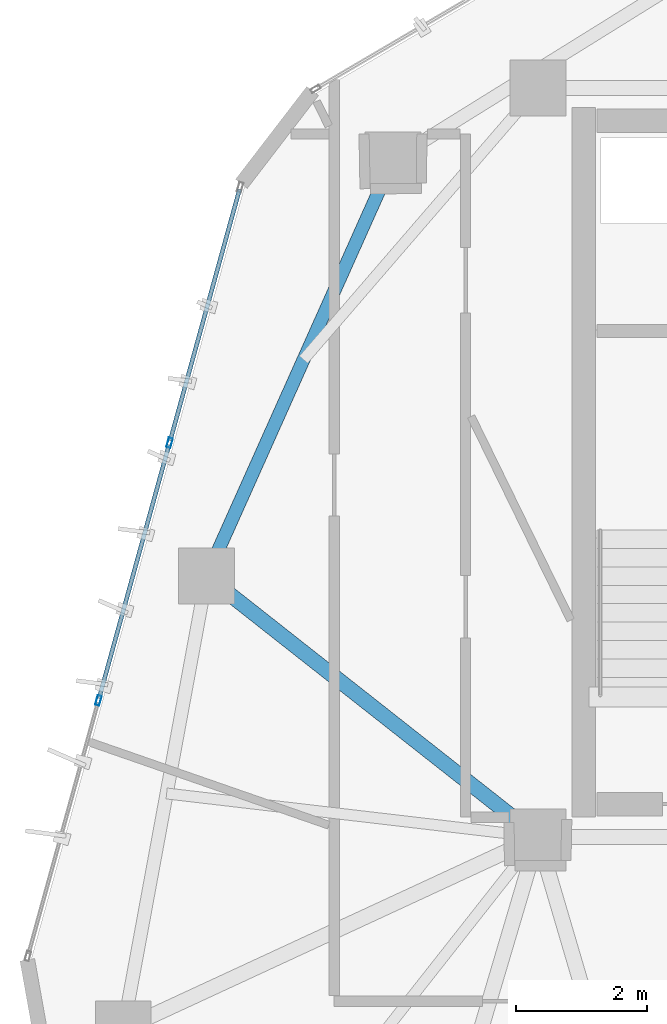
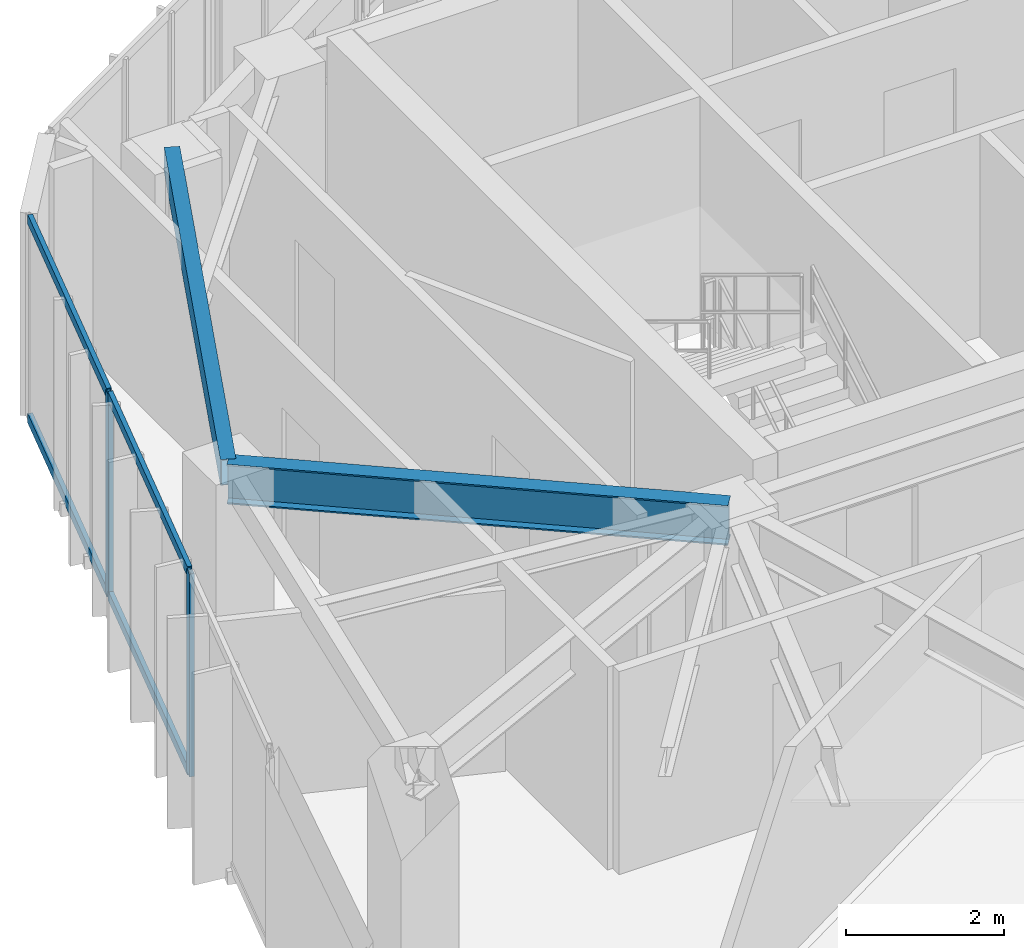
# One storey, part 8 of 20: 6 members, 2 beams, 1 element without a shape of its own.
"""IFC4 building model written with IfcOpenShell, lengths in metres."""

from ifc_helpers import new_model, si_unit, direction, frame, origin, origin_2d, place, context, subcontext, project, spatial, hollow_rectangle, i_section, extrude, source, transform, mapped, material, layer, layer_set, material_profile, profile_set, type_object, type_shapes, element, aggregate, save


model = new_model("IFC4")

# Units and contexts
model_context = context("Model", 3, precision=1e-05, world=origin(), true_north=direction((0.0, 1.0)))
body_context = subcontext(model_context, "Body", "Model", "MODEL_VIEW")
ifc_project = project(units=[si_unit("LENGTHUNIT", "METRE"), si_unit("AREAUNIT", "SQUARE_METRE"), si_unit("VOLUMEUNIT", "CUBIC_METRE"), si_unit("PLANEANGLEUNIT", "RADIAN"), si_unit("MASSUNIT", "GRAM", prefix="KILO")], contexts=[model_context])

# Site, building, storey
site_placement = place(None, origin())
site = spatial("IfcSite", under=ifc_project, at=site_placement, CompositionType="ELEMENT")
building_placement = place(site_placement, origin())
building = spatial("IfcBuilding", under=site, at=building_placement, Name="Talar Marvaseh", CompositionType="ELEMENT")
storey_placement = place(building_placement, frame((0.0, 0.0, 254.39990234375)))
storey = spatial("IfcBuildingStorey", under=building, at=storey_placement, Name="L67", CompositionType="ELEMENT", Elevation=254.39990234375)

# Beams
ifc_material_1 = material(Name="Steel S355", Category="steel")
ifc_material_profile_1 = material_profile(ifc_material_1, hollow_rectangle(XDim=0.199951171875, YDim=0.39990234375, WallThickness=0.013916015625, at=origin_2d()), Name="RHS400x200x14")
ifc_profile_set_1 = profile_set([ifc_material_profile_1], Name="Steel S355")
beam_type_1 = type_object("IfcBeamType", Name="Zone 3 Perimeter Spandrel Beam RHS400x200x14", PredefinedType="SPANDREL", material=ifc_profile_set_1)
beam_1_placement = place(storey_placement, frame((13.657958984375, 29.469970703125, 2.940185546875), z_axis=(0.408486346803, 0.912764429892, 0.0), x_axis=(-0.912764429892, 0.408486346803, 0.0)))
element("IfcBeam", 1, at=beam_1_placement, inside=storey, type_object=beam_type_1, Name="L67 Zone 3 Perimeter Spandrel Beam RHS400x200x14", PredefinedType="SPANDREL", context=body_context, shape_type="SweptSolid", body=[
    extrude(hollow_rectangle(XDim=0.199951171875, YDim=0.39990234375, WallThickness=0.013916015625, at=origin_2d()), origin(), (0.0, 0.0, 1.0), 6.942626953125),
])
ifc_material_profile_2 = material_profile(ifc_material_1, i_section(OverallWidth=0.22998046875, OverallDepth=0.616943359375, WebThickness=0.01318359375, FlangeThickness=0.022216796875, at=origin_2d()), Name="W610x140")
ifc_profile_set_2 = profile_set([ifc_material_profile_2], Name="Steel S355")
beam_type_2 = type_object("IfcBeamType", Name="Zone 4 Radial Floor Girder W610x140", PredefinedType="BEAM", material=ifc_profile_set_2)
beam_2_placement = place(storey_placement, frame((13.657958984375, 29.469970703125, 2.83154296875), z_axis=(0.785681617372, -0.618631066245, 0.0), x_axis=(0.618631066245, 0.785681617372, 0.0)))
element("IfcBeam", 2, at=beam_2_placement, inside=storey, type_object=beam_type_2, Name="L67 Zone 4 Radial Floor Girder W610x140", PredefinedType="BEAM", context=body_context, shape_type="SweptSolid", body=[
    extrude(i_section(OverallWidth=0.22998046875, OverallDepth=0.616943359375, WebThickness=0.01318359375, FlangeThickness=0.022216796875, at=origin_2d()), origin(), (0.0, 0.0, 1.0), 6.417236328125),
])

# Curtain wall, members
ifc_material_2 = material(Name="Architectural Aluminium", Category="aluminium")
ifc_layer = layer(ifc_material_2, 0.179931640625)
ifc_layer_set = layer_set([ifc_layer], Name="Architectural Aluminium")
curtain_wall_type = type_object("IfcCurtainWallType", Name="Unitised High-Wind Sky Curtain Wall Z4", PredefinedType="NOTDEFINED", material=ifc_layer_set)
curtain_wall_placement = place(storey_placement, origin())
curtain_wall = element("IfcCurtainWall", 3, at=curtain_wall_placement, inside=storey, type_object=curtain_wall_type, Name="L67 Unitised High-Wind Sky Curtain Wall Z4", PredefinedType="NOTDEFINED")
ifc_material_profile_3 = material_profile(ifc_material_2, hollow_rectangle(XDim=0.06494140625, YDim=0.14990234375, WallThickness=0.00390625, at=origin_2d()), Name="RHS150x65x4")
ifc_profile_set_3 = profile_set([ifc_material_profile_3], Name="Architectural Aluminium")
member_type_1 = type_object("IfcMemberType", Name="Unitised Curtain Wall Slim Transom RHS150x65x4", PredefinedType="USERDEFINED", material=ifc_profile_set_3)
shared_shape_1 = source(origin(), body_context, "Body", "SweptSolid", [
    extrude(hollow_rectangle(XDim=0.06494140625, YDim=0.14990234375, WallThickness=0.00390625, at=origin_2d()), origin(), (0.0, 0.0, 1.0), 3.97119140625),
])
member_1_placement = place(storey_placement, frame((13.102783203125, 31.531005859375, 0.03271484375), z_axis=(0.26607083303, 0.963953480107, 0.0), x_axis=(-0.963953480107, 0.26607083303, 0.0)))
member_1 = element("IfcMember", 4, at=member_1_placement, type_object=member_type_1, Name="CW-Z4 transom 3.1", ObjectType="TRANSOM", PredefinedType="USERDEFINED", context=body_context, shape_type="MappedRepresentation", body=[
    mapped(shared_shape_1, transform((0.0, 0.0, 0.0), x_axis=(1.0, 0.0, 0.0), y_axis=(0.0, 1.0, 0.0), z_axis=(0.0, 0.0, 1.0), scale=1.0)),
])
member_2_placement = place(storey_placement, frame((13.102783203125, 31.531005859375, 3.107666015625), z_axis=(0.26607083303, 0.963953480107, 0.0), x_axis=(-0.963953480107, 0.26607083303, 0.0)))
member_2 = element("IfcMember", 5, at=member_2_placement, type_object=member_type_1, Name="CW-Z4 transom 3.2", ObjectType="TRANSOM", PredefinedType="USERDEFINED", context=body_context, shape_type="MappedRepresentation", body=[
    mapped(shared_shape_1, transform((0.0, 0.0, 0.0), x_axis=(1.0, 0.0, 0.0), y_axis=(0.0, 1.0, 0.0), z_axis=(0.0, 0.0, 1.0), scale=1.0)),
])
shared_shape_2 = source(origin(), body_context, "Body", "SweptSolid", [
    extrude(hollow_rectangle(XDim=0.06494140625, YDim=0.14990234375, WallThickness=0.00390625, at=origin_2d()), origin(), (0.0, 0.0, 1.0), 4.003662109375),
])
type_shapes(member_type_1, [shared_shape_1, shared_shape_2])
member_3_placement = place(storey_placement, frame((12.020263671875, 27.609130859375, 0.03271484375), z_axis=(0.266052099754, 0.963958650678, 0.0), x_axis=(-0.963958650678, 0.266052099754, 0.0)))
member_3 = element("IfcMember", 6, at=member_3_placement, type_object=member_type_1, Name="CW-Z4 transom 2.1", ObjectType="TRANSOM", PredefinedType="USERDEFINED", context=body_context, shape_type="MappedRepresentation", body=[
    mapped(shared_shape_2, transform((0.0, 0.0, 0.0), x_axis=(1.0, 0.0, 0.0), y_axis=(0.0, 1.0, 0.0), z_axis=(0.0, 0.0, 1.0), scale=1.0)),
])
member_4_placement = place(storey_placement, frame((12.020263671875, 27.609130859375, 3.107666015625), z_axis=(0.266052099754, 0.963958650678, 0.0), x_axis=(-0.963958650678, 0.266052099754, 0.0)))
member_4 = element("IfcMember", 7, at=member_4_placement, type_object=member_type_1, Name="CW-Z4 transom 2.2", ObjectType="TRANSOM", PredefinedType="USERDEFINED", context=body_context, shape_type="MappedRepresentation", body=[
    mapped(shared_shape_2, transform((0.0, 0.0, 0.0), x_axis=(1.0, 0.0, 0.0), y_axis=(0.0, 1.0, 0.0), z_axis=(0.0, 0.0, 1.0), scale=1.0)),
])
ifc_material_profile_4 = material_profile(ifc_material_2, hollow_rectangle(XDim=0.06494140625, YDim=0.14990234375, WallThickness=0.00390625, at=origin_2d()), Name="RHS150x65x4")
ifc_profile_set_4 = profile_set([ifc_material_profile_4], Name="Architectural Aluminium")
member_type_2 = type_object("IfcMemberType", Name="Unitised Curtain Wall Slim Mullion RHS150x65x4", PredefinedType="MULLION", material=ifc_profile_set_4)
shared_shape_3 = source(origin(), body_context, "Body", "SweptSolid", [
    extrude(hollow_rectangle(XDim=0.06494140625, YDim=0.14990234375, WallThickness=0.00390625, at=origin_2d()), origin(), (0.0, 0.0, 1.0), 3.14013671875),
])
type_shapes(member_type_2, [shared_shape_3])
member_5_placement = place(storey_placement, frame((12.011474609375, 27.577880859375, 0.0), z_axis=(0.0, 0.0, 1.0), x_axis=(-0.963947775369, 0.266091499978, 0.0)))
member_5 = element("IfcMember", 8, at=member_5_placement, type_object=member_type_2, Name="CW-Z4 mullion 2", PredefinedType="MULLION", context=body_context, shape_type="MappedRepresentation", body=[
    mapped(shared_shape_3, transform((0.0, 0.0, 0.0), x_axis=(1.0, 0.0, 0.0), y_axis=(0.0, 1.0, 0.0), z_axis=(0.0, 0.0, 1.0), scale=1.0)),
])
member_6_placement = place(storey_placement, frame((13.09423828125, 31.499755859375, 0.0), z_axis=(0.0, 0.0, 1.0), x_axis=(-0.963947775369, 0.266091499978, 0.0)))
member_6 = element("IfcMember", 9, at=member_6_placement, type_object=member_type_2, Name="CW-Z4 mullion 3", PredefinedType="MULLION", context=body_context, shape_type="MappedRepresentation", body=[
    mapped(shared_shape_3, transform((0.0, 0.0, 0.0), x_axis=(1.0, 0.0, 0.0), y_axis=(0.0, 1.0, 0.0), z_axis=(0.0, 0.0, 1.0), scale=1.0)),
])
aggregate(curtain_wall, [member_5, member_6, member_3, member_4, member_1, member_2])

save(model, "model.ifc")
